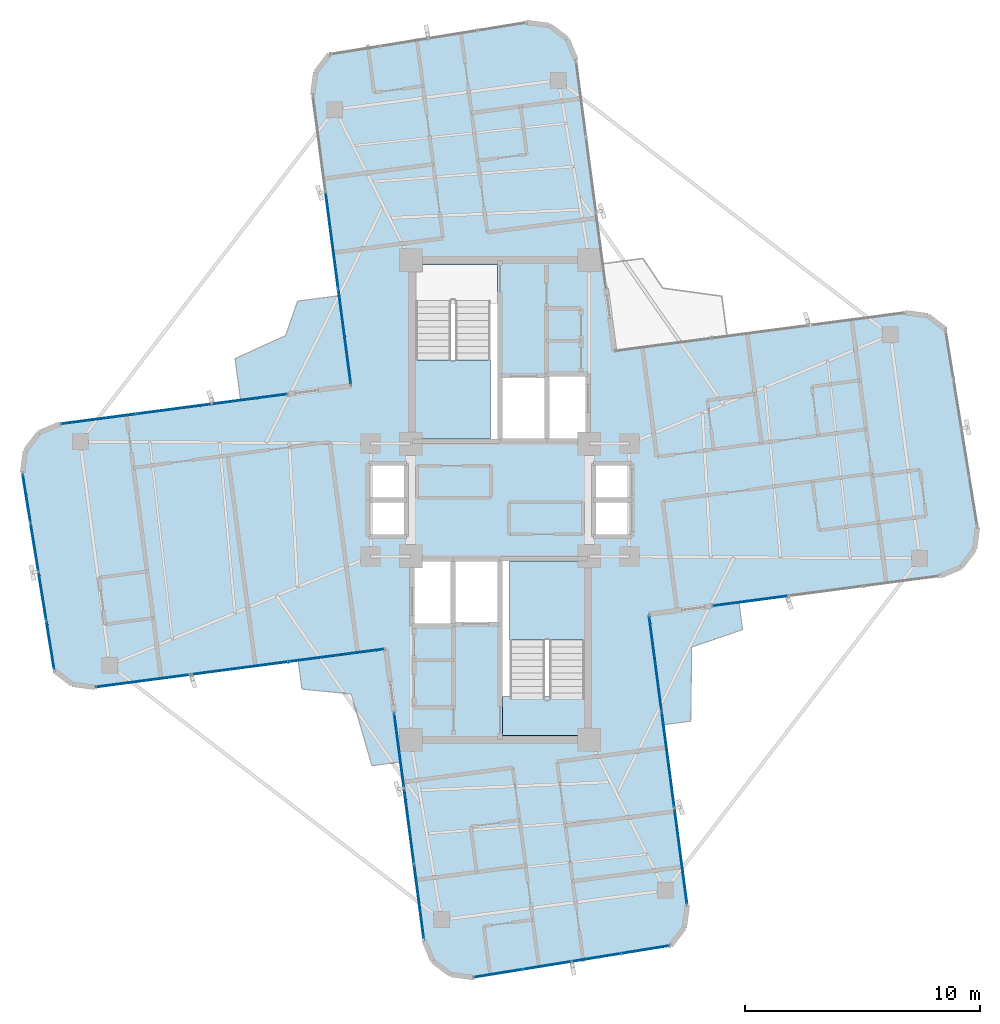
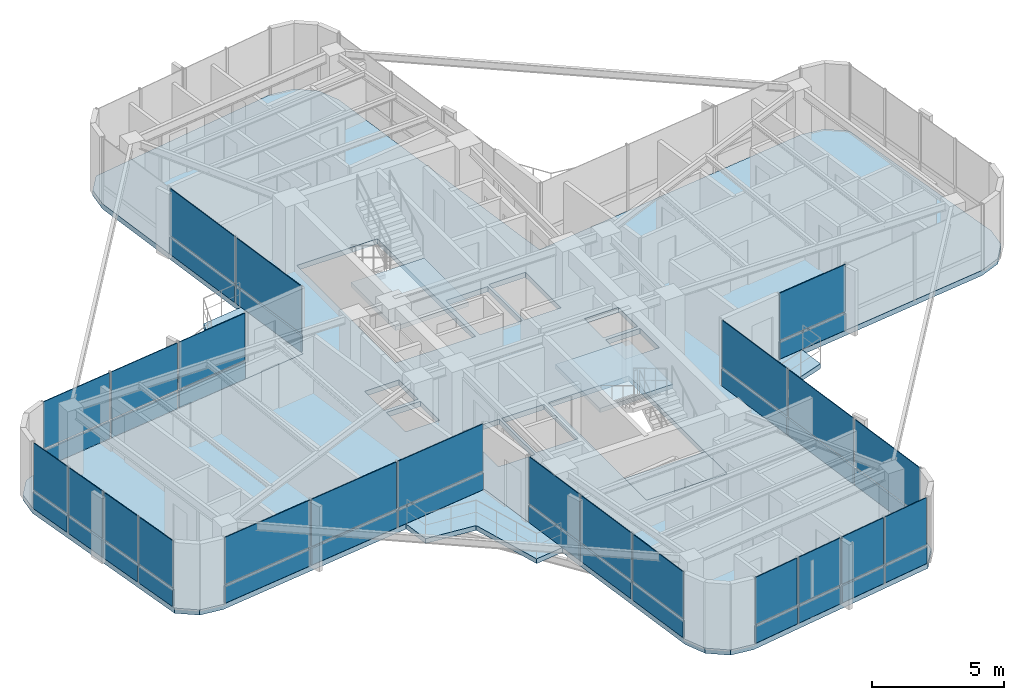
# One storey, part 16 of 22: 46 plates, 7 slabs, 10 elements without a shape of their own.
"""IFC4 building model written with IfcOpenShell, lengths in metres."""

from ifc_helpers import new_model, si_unit, direction, frame, origin, origin_2d, place, context, subcontext, project, spatial, polyline, rectangle, outline, extrude, source, transform, mapped, material, layer, layer_set, type_object, element, aggregate, save


model = new_model("IFC4")

# Units and contexts
model_context = context("Model", 3, precision=1e-05, world=origin(), true_north=direction((0.0, 1.0)))
body_context = subcontext(model_context, "Body", "Model", "MODEL_VIEW")
ifc_project = project(units=[si_unit("LENGTHUNIT", "METRE"), si_unit("AREAUNIT", "SQUARE_METRE"), si_unit("VOLUMEUNIT", "CUBIC_METRE"), si_unit("PLANEANGLEUNIT", "RADIAN"), si_unit("MASSUNIT", "GRAM", prefix="KILO")], contexts=[model_context])

# Site, building, storey
site_placement = place(None, origin())
site = spatial("IfcSite", under=ifc_project, at=site_placement, CompositionType="ELEMENT")
building_placement = place(site_placement, origin())
building = spatial("IfcBuilding", under=site, at=building_placement, Name="Sahyath Konkavel Grand Hotel", CompositionType="ELEMENT")
storey_placement = place(building_placement, frame((0.0, 0.0, 223.25)))
storey = spatial("IfcBuildingStorey", under=building, at=storey_placement, Name="L62", CompositionType="ELEMENT", Elevation=223.25)

# Slabs
ifc_material_1 = material(Name="Concrete C40/50", Category="concrete")
ifc_layer_1 = layer(ifc_material_1, 0.239990234375)
ifc_layer_set_1 = layer_set([ifc_layer_1], Name="Concrete C40/50")
slab_type_1 = type_object("IfcSlabType", Name="SLB-240", PredefinedType="FLOOR", material=ifc_layer_set_1)
slab_1_placement = place(storey_placement, frame((0.0, 0.0, -0.239990234375)))
element("IfcSlab", 1, at=slab_1_placement, inside=storey, type_object=slab_type_1, Name="L62 Structural Floor Slab", PredefinedType="FLOOR", context=body_context, shape_type="SweptSolid", body=[
    extrude(outline(polyline([(6.330078125, -4.857421875), (18.704345703125, -3.228271484375), (19.589111328125, -2.86181640625), (20.172119140625, -2.10205078125), (20.297119140625, -1.152587890625), (18.940673828125, 7.251220703125), (18.180908203125, 7.834228515625), (17.2314453125, 7.959228515625), (4.857421875, 6.330078125), (3.228271484375, 18.704345703125), (2.86181640625, 19.589111328125), (2.10205078125, 20.172119140625), (1.152587890625, 20.297119140625), (-7.251220703125, 18.940673828125), (-7.834228515625, 18.180908203125), (-7.959228515625, 17.2314453125), (-6.330078125, 4.857421875), (-18.704345703125, 3.228271484375), (-19.589111328125, 2.86181640625), (-20.172119140625, 2.10205078125), (-20.297119140625, 1.152587890625), (-18.940673828125, -7.251220703125), (-18.180908203125, -7.834228515625), (-17.2314453125, -7.959228515625), (-4.857421875, -6.330078125), (-3.228271484375, -18.704345703125), (-2.86181640625, -19.589111328125), (-2.10205078125, -20.172119140625), (-1.152587890625, -20.297119140625), (7.251220703125, -18.940673828125), (7.834228515625, -18.180908203125), (7.959228515625, -17.2314453125), (6.330078125, -4.857421875)]), holes=[polyline([(-3.6201171875, 2.580078125), (-0.10009765625, 2.580078125), (-0.10009765625, 10.02001953125), (-3.6201171875, 10.02001953125), (-3.6201171875, 2.580078125)]), polyline([(0.10009765625, -10.02001953125), (3.6201171875, -10.02001953125), (3.6201171875, -2.580078125), (0.10009765625, -2.580078125), (0.10009765625, -10.02001953125)]), polyline([(0.10009765625, 2.60009765625), (1.949951171875, 2.60009765625), (1.949951171875, 5.199951171875), (0.10009765625, 5.199951171875), (0.10009765625, 2.60009765625)]), polyline([(-1.949951171875, -5.199951171875), (-0.10009765625, -5.199951171875), (-0.10009765625, -2.60009765625), (-1.949951171875, -2.60009765625), (-1.949951171875, -5.199951171875)]), polyline([(2.050048828125, 2.60009765625), (3.64990234375, 2.60009765625), (3.64990234375, 5.300048828125), (2.050048828125, 5.300048828125), (2.050048828125, 2.60009765625)]), polyline([(-3.64990234375, -5.300048828125), (-2.050048828125, -5.300048828125), (-2.050048828125, -2.60009765625), (-3.64990234375, -2.60009765625), (-3.64990234375, -5.300048828125)]), polyline([(4.050048828125, 0.080078125), (5.550048828125, 0.080078125), (5.550048828125, 1.5400390625), (4.050048828125, 1.5400390625), (4.050048828125, 0.080078125)]), polyline([(4.050048828125, -1.5400390625), (5.550048828125, -1.5400390625), (5.550048828125, -0.080078125), (4.050048828125, -0.080078125), (4.050048828125, -1.5400390625)]), polyline([(-5.550048828125, 0.080078125), (-4.050048828125, 0.080078125), (-4.050048828125, 1.5400390625), (-5.550048828125, 1.5400390625), (-5.550048828125, 0.080078125)]), polyline([(-5.550048828125, -1.5400390625), (-4.050048828125, -1.5400390625), (-4.050048828125, -0.080078125), (-5.550048828125, -0.080078125), (-5.550048828125, -1.5400390625)])]), origin(), (0.0, 0.0, 1.0), 0.239990234375),
])
ifc_layer_2 = layer(ifc_material_1, 0.219970703125)
ifc_layer_set_2 = layer_set([ifc_layer_2], Name="Concrete C40/50")
slab_type_2 = type_object("IfcSlabType", Name="SLB-BALCONY-220", PredefinedType="FLOOR", material=ifc_layer_set_2)
slab_2_placement = place(storey_placement, frame((0.0, 0.0, -0.219970703125)))
element("IfcSlab", 2, at=slab_2_placement, inside=storey, type_object=slab_type_2, Name="L62 Winter-Garden Balcony NW", PredefinedType="FLOOR", context=body_context, shape_type="SweptSolid", body=[
    extrude(outline(polyline([(-6.330078125, 4.857421875), (-6.834228515625, 8.686279296875), (-8.60400390625, 8.453369140625), (-9.111572265625, 6.991455078125), (-11.260498046875, 6.008544921875), (-11.027587890625, 4.239013671875), (-6.330078125, 4.857421875)])), origin(), (0.0, 0.0, 1.0), 0.219970703125),
])
slab_3_placement = place(storey_placement, frame((0.0, 0.0, -0.219970703125)))
element("IfcSlab", 3, at=slab_3_placement, inside=storey, type_object=slab_type_2, Name="L62 Winter-Garden Balcony SW", PredefinedType="FLOOR", context=body_context, shape_type="SweptSolid", body=[
    extrude(outline(polyline([(-4.857421875, -6.330078125), (-8.5791015625, -6.8203125), (-8.4189453125, -8.0380859375), (-6.325927734375, -8.244140625), (-5.442626953125, -11.294921875), (-4.224853515625, -11.134765625), (-4.857421875, -6.330078125)])), origin(), (0.0, 0.0, 1.0), 0.219970703125),
])
slab_4_placement = place(storey_placement, frame((0.0, 0.0, -0.219970703125)))
element("IfcSlab", 4, at=slab_4_placement, inside=storey, type_object=slab_type_2, Name="L62 Winter-Garden Balcony SE", PredefinedType="FLOOR", context=body_context, shape_type="SweptSolid", body=[
    extrude(outline(polyline([(6.330078125, -4.857421875), (6.948486328125, -9.5546875), (8.105712890625, -9.40234375), (8.14892578125, -6.2529296875), (10.3115234375, -5.51025390625), (10.1591796875, -4.353271484375), (6.330078125, -4.857421875)])), origin(), (0.0, 0.0, 1.0), 0.219970703125),
])

# Stair, slab
stair_type = type_object("IfcStairType", Name="STR-ST16-335", PredefinedType="HALF_TURN_STAIR", material=ifc_material_1)
stair_1_placement = place(storey_placement, origin())
stair_1 = element("IfcStair", 5, at=stair_1_placement, inside=storey, type_object=stair_type, Name="L62 North Core Smokeproof Exit Stair ST-1", PredefinedType="HALF_TURN_STAIR")
ifc_layer_3 = layer(ifc_material_1, 0.199951171875)
ifc_layer_set_3 = layer_set([ifc_layer_3], Name="Concrete C40/50")
slab_type_3 = type_object("IfcSlabType", Name="SLB-STAIR-LND", PredefinedType="LANDING", material=ifc_layer_set_3)
slab_5_placement = place(storey_placement, frame((0.0, 0.0, 1.47509765625)))
slab_5 = element("IfcSlab", 6, at=slab_5_placement, type_object=slab_type_3, Name="ST-1 landing 1", PredefinedType="LANDING", context=body_context, shape_type="SweptSolid", body=[
    extrude(outline(polyline([(-3.60009765625, 5.9599609375), (-3.60009765625, 2.60009765625), (-0.39990234375, 2.60009765625), (-0.39990234375, 5.9599609375), (-3.60009765625, 5.9599609375)])), origin(), (0.0, 0.0, 1.0), 0.199951171875),
])
aggregate(stair_1, [slab_5])

stair_2_placement = place(storey_placement, origin())
stair_2 = element("IfcStair", 7, at=stair_2_placement, inside=storey, type_object=stair_type, Name="L62 South Core Smokeproof Exit Stair ST-2", PredefinedType="HALF_TURN_STAIR")
slab_6_placement = place(storey_placement, frame((0.0, 0.0, 1.47509765625)))
slab_6 = element("IfcSlab", 8, at=slab_6_placement, type_object=slab_type_3, Name="ST-2 landing 1", PredefinedType="LANDING", context=body_context, shape_type="SweptSolid", body=[
    extrude(outline(polyline([(3.60009765625, -5.9599609375), (3.60009765625, -2.60009765625), (0.39990234375, -2.60009765625), (0.39990234375, -5.9599609375), (3.60009765625, -5.9599609375)])), origin(), (0.0, 0.0, 1.0), 0.199951171875),
])
aggregate(stair_2, [slab_6])

# Slab
slab_7_placement = place(storey_placement, frame((0.0, 0.0, -0.199951171875)))
element("IfcSlab", 9, at=slab_7_placement, inside=storey, type_object=slab_type_3, Name="L62 Stair ST-2 Floor Landing Slab", PredefinedType="LANDING", context=body_context, shape_type="SweptSolid", body=[
    extrude(outline(polyline([(0.10009765625, -10.02001953125), (3.6201171875, -10.02001953125), (3.6201171875, -8.35009765625), (0.10009765625, -8.35009765625), (0.10009765625, -10.02001953125)])), origin(), (0.0, 0.0, 1.0), 0.199951171875),
])

# Curtain wall, plate
ifc_material_2 = material(Name="Anodised Bronze Aluminium & Low-E Glazing", Category="aluminium")
curtain_wall_type = type_object("IfcCurtainWallType", Name="CW-ZONE4", PredefinedType="NOTDEFINED", material=ifc_material_2)
curtain_wall_1_placement = place(storey_placement, origin())
curtain_wall_1 = element("IfcCurtainWall", 10, at=curtain_wall_1_placement, inside=storey, type_object=curtain_wall_type, Name="L62 Unitised Curtain Wall F0", PredefinedType="NOTDEFINED")
ifc_material_3 = material(Name="Warm Buff Sandstone Cladding", Category="masonry")
ifc_layer_4 = layer(ifc_material_3, 0.074951171875)
ifc_layer_set_4 = layer_set([ifc_layer_4], Name="Warm Buff Sandstone Cladding")
plate_type_1 = type_object("IfcPlateType", Name="PNL-SPANDREL-STONE", PredefinedType="SHEET", material=ifc_layer_set_4)
shared_shape_1 = source(origin(), body_context, "Body", "SweptSolid", [
    extrude(rectangle(XDim=3.15380859375, YDim=0.074951171875, at=origin_2d()), origin(), (0.0, 0.0, 1.0), 0.77001953125),
])
plate_1_placement = place(storey_placement, frame((10.64990234375, -4.288818359375, 0.0400390625), z_axis=(0.0, 0.0, 1.0), x_axis=(0.991444861374, 0.13052619222, 0.0)))
plate_1 = element("IfcPlate", 11, at=plate_1_placement, type_object=plate_type_1, Name="L62 Sandstone Relief Spandrel Panel F0-0", PredefinedType="SHEET", context=body_context, shape_type="MappedRepresentation", body=[
    mapped(shared_shape_1, transform((0.0, 0.0, 0.0), scale=1.0)),
])

# Curtain wall, plates
curtain_wall_2_placement = place(storey_placement, origin())
curtain_wall_2 = element("IfcCurtainWall", 12, at=curtain_wall_2_placement, inside=storey, type_object=curtain_wall_type, Name="L62 Unitised Curtain Wall F16", PredefinedType="NOTDEFINED")
plate_2_placement = place(storey_placement, frame((-10.64990234375, 4.288818359375, 0.0400390625), z_axis=(0.0, 0.0, 1.0), x_axis=(-0.991444861374, -0.13052619222, 0.0)))
plate_2 = element("IfcPlate", 13, at=plate_2_placement, type_object=plate_type_1, Name="L62 Sandstone Relief Spandrel Panel F16-0", PredefinedType="SHEET", context=body_context, shape_type="MappedRepresentation", body=[
    mapped(shared_shape_1, transform((0.0, 0.0, 0.0), scale=1.0)),
])
plate_3_placement = place(storey_placement, frame((-13.855712890625, 3.86669921875, 0.0400390625), z_axis=(0.0, 0.0, 1.0), x_axis=(-0.991444861374, -0.13052619222, 0.0)))
plate_3 = element("IfcPlate", 14, at=plate_3_placement, type_object=plate_type_1, Name="L62 Sandstone Relief Spandrel Panel F16-1", PredefinedType="SHEET", context=body_context, shape_type="MappedRepresentation", body=[
    mapped(shared_shape_1, transform((0.0, 0.0, 0.0), scale=1.0)),
])
plate_4_placement = place(storey_placement, frame((-17.061767578125, 3.4443359375, 0.0400390625), z_axis=(0.0, 0.0, 1.0), x_axis=(-0.991444861374, -0.13052619222, 0.0)))
plate_4 = element("IfcPlate", 15, at=plate_4_placement, type_object=plate_type_1, Name="L62 Sandstone Relief Spandrel Panel F16-2", PredefinedType="SHEET", context=body_context, shape_type="MappedRepresentation", body=[
    mapped(shared_shape_1, transform((0.0, 0.0, 0.0), scale=1.0)),
])

curtain_wall_3_placement = place(storey_placement, origin())
curtain_wall_3 = element("IfcCurtainWall", 16, at=curtain_wall_3_placement, inside=storey, type_object=curtain_wall_type, Name="L62 Unitised Curtain Wall F24", PredefinedType="NOTDEFINED")
plate_5_placement = place(storey_placement, frame((-4.288818359375, -10.64990234375, 0.0400390625), z_axis=(0.0, 0.0, 1.0), x_axis=(0.13052619222, -0.991444861374, 0.0)))
plate_5 = element("IfcPlate", 17, at=plate_5_placement, type_object=plate_type_1, Name="L62 Sandstone Relief Spandrel Panel F24-0", PredefinedType="SHEET", context=body_context, shape_type="MappedRepresentation", body=[
    mapped(shared_shape_1, transform((0.0, 0.0, 0.0), scale=1.0)),
])
plate_6_placement = place(storey_placement, frame((-3.86669921875, -13.855712890625, 0.0400390625), z_axis=(0.0, 0.0, 1.0), x_axis=(0.13052619222, -0.991444861374, 0.0)))
plate_6 = element("IfcPlate", 18, at=plate_6_placement, type_object=plate_type_1, Name="L62 Sandstone Relief Spandrel Panel F24-1", PredefinedType="SHEET", context=body_context, shape_type="MappedRepresentation", body=[
    mapped(shared_shape_1, transform((0.0, 0.0, 0.0), scale=1.0)),
])
plate_7_placement = place(storey_placement, frame((-3.4443359375, -17.061767578125, 0.0400390625), z_axis=(0.0, 0.0, 1.0), x_axis=(0.13052619222, -0.991444861374, 0.0)))
plate_7 = element("IfcPlate", 19, at=plate_7_placement, type_object=plate_type_1, Name="L62 Sandstone Relief Spandrel Panel F24-2", PredefinedType="SHEET", context=body_context, shape_type="MappedRepresentation", body=[
    mapped(shared_shape_1, transform((0.0, 0.0, 0.0), scale=1.0)),
])

# Plate
ifc_material_4 = material(Name="Low-E Solar Control Double Glazing", Category="glass")
ifc_layer_5 = layer(ifc_material_4, 0.035888671875)
ifc_layer_set_5 = layer_set([ifc_layer_5], Name="Low-E Solar Control Double Glazing")
plate_type_2 = type_object("IfcPlateType", Name="PNL-VISION-LOWE", PredefinedType="CURTAIN_PANEL", material=ifc_layer_set_5)
shared_shape_2 = source(origin(), body_context, "Body", "SweptSolid", [
    extrude(rectangle(XDim=3.15380859375, YDim=0.035888671875, at=origin_2d()), origin(), (0.0, 0.0, 1.0), 2.179931640625),
])
plate_8_placement = place(storey_placement, frame((10.64990234375, -4.288818359375, 0.89013671875), z_axis=(0.0, 0.0, 1.0), x_axis=(0.991444861374, 0.13052619222, 0.0)))
plate_8 = element("IfcPlate", 20, at=plate_8_placement, type_object=plate_type_2, Name="L62 Low-E Vision Glazing Panel F0-0", PredefinedType="CURTAIN_PANEL", context=body_context, shape_type="MappedRepresentation", body=[
    mapped(shared_shape_2, transform((0.0, 0.0, 0.0), scale=1.0)),
])

aggregate(curtain_wall_1, [plate_1, plate_8])

plate_9_placement = place(storey_placement, frame((-10.64990234375, 4.288818359375, 0.89013671875), z_axis=(0.0, 0.0, 1.0), x_axis=(-0.991444861374, -0.13052619222, 0.0)))
plate_9 = element("IfcPlate", 21, at=plate_9_placement, type_object=plate_type_2, Name="L62 Low-E Vision Glazing Panel F16-0", PredefinedType="CURTAIN_PANEL", context=body_context, shape_type="MappedRepresentation", body=[
    mapped(shared_shape_2, transform((0.0, 0.0, 0.0), scale=1.0)),
])

plate_10_placement = place(storey_placement, frame((-13.855712890625, 3.86669921875, 0.89013671875), z_axis=(0.0, 0.0, 1.0), x_axis=(-0.991444861374, -0.13052619222, 0.0)))
plate_10 = element("IfcPlate", 22, at=plate_10_placement, type_object=plate_type_2, Name="L62 Low-E Vision Glazing Panel F16-1", PredefinedType="CURTAIN_PANEL", context=body_context, shape_type="MappedRepresentation", body=[
    mapped(shared_shape_2, transform((0.0, 0.0, 0.0), scale=1.0)),
])

plate_11_placement = place(storey_placement, frame((-17.061767578125, 3.4443359375, 0.89013671875), z_axis=(0.0, 0.0, 1.0), x_axis=(-0.991444861374, -0.13052619222, 0.0)))
plate_11 = element("IfcPlate", 23, at=plate_11_placement, type_object=plate_type_2, Name="L62 Low-E Vision Glazing Panel F16-2", PredefinedType="CURTAIN_PANEL", context=body_context, shape_type="MappedRepresentation", body=[
    mapped(shared_shape_2, transform((0.0, 0.0, 0.0), scale=1.0)),
])

aggregate(curtain_wall_2, [plate_2, plate_9, plate_3, plate_10, plate_4, plate_11])

plate_12_placement = place(storey_placement, frame((-4.288818359375, -10.64990234375, 0.89013671875), z_axis=(0.0, 0.0, 1.0), x_axis=(0.13052619222, -0.991444861374, 0.0)))
plate_12 = element("IfcPlate", 24, at=plate_12_placement, type_object=plate_type_2, Name="L62 Low-E Vision Glazing Panel F24-0", PredefinedType="CURTAIN_PANEL", context=body_context, shape_type="MappedRepresentation", body=[
    mapped(shared_shape_2, transform((0.0, 0.0, 0.0), scale=1.0)),
])

plate_13_placement = place(storey_placement, frame((-3.86669921875, -13.855712890625, 0.89013671875), z_axis=(0.0, 0.0, 1.0), x_axis=(0.13052619222, -0.991444861374, 0.0)))
plate_13 = element("IfcPlate", 25, at=plate_13_placement, type_object=plate_type_2, Name="L62 Low-E Vision Glazing Panel F24-1", PredefinedType="CURTAIN_PANEL", context=body_context, shape_type="MappedRepresentation", body=[
    mapped(shared_shape_2, transform((0.0, 0.0, 0.0), scale=1.0)),
])

plate_14_placement = place(storey_placement, frame((-3.4443359375, -17.061767578125, 0.89013671875), z_axis=(0.0, 0.0, 1.0), x_axis=(0.13052619222, -0.991444861374, 0.0)))
plate_14 = element("IfcPlate", 26, at=plate_14_placement, type_object=plate_type_2, Name="L62 Low-E Vision Glazing Panel F24-2", PredefinedType="CURTAIN_PANEL", context=body_context, shape_type="MappedRepresentation", body=[
    mapped(shared_shape_2, transform((0.0, 0.0, 0.0), scale=1.0)),
])

aggregate(curtain_wall_3, [plate_5, plate_12, plate_6, plate_13, plate_7, plate_14])

# Curtain wall, plates
curtain_wall_4_placement = place(storey_placement, origin())
curtain_wall_4 = element("IfcCurtainWall", 27, at=curtain_wall_4_placement, inside=storey, type_object=curtain_wall_type, Name="L62 Unitised Curtain Wall F20", PredefinedType="NOTDEFINED")
shared_shape_3 = source(origin(), body_context, "Body", "SweptSolid", [
    extrude(rectangle(XDim=2.0283203125, YDim=0.074951171875, at=origin_2d()), origin(), (0.0, 0.0, 1.0), 0.77001953125),
])
plate_15_placement = place(storey_placement, frame((-20.122802734375, 0.072509765625, 0.0400390625), z_axis=(0.0, 0.0, 1.0), x_axis=(0.159347072199, -0.98722262463, 0.0)))
plate_15 = element("IfcPlate", 28, at=plate_15_placement, type_object=plate_type_1, Name="L62 Sandstone Relief Spandrel Panel F20-0", PredefinedType="SHEET", context=body_context, shape_type="MappedRepresentation", body=[
    mapped(shared_shape_3, transform((0.0, 0.0, 0.0), scale=1.0)),
])
plate_16_placement = place(storey_placement, frame((-19.786865234375, -2.0087890625, 0.0400390625), z_axis=(0.0, 0.0, 1.0), x_axis=(0.159347072199, -0.98722262463, 0.0)))
plate_16 = element("IfcPlate", 29, at=plate_16_placement, type_object=plate_type_1, Name="L62 Sandstone Relief Spandrel Panel F20-1", PredefinedType="SHEET", context=body_context, shape_type="MappedRepresentation", body=[
    mapped(shared_shape_3, transform((0.0, 0.0, 0.0), scale=1.0)),
])
plate_17_placement = place(storey_placement, frame((-19.450927734375, -4.090087890625, 0.0400390625), z_axis=(0.0, 0.0, 1.0), x_axis=(0.159347072199, -0.98722262463, 0.0)))
plate_17 = element("IfcPlate", 30, at=plate_17_placement, type_object=plate_type_1, Name="L62 Sandstone Relief Spandrel Panel F20-2", PredefinedType="SHEET", context=body_context, shape_type="MappedRepresentation", body=[
    mapped(shared_shape_3, transform((0.0, 0.0, 0.0), scale=1.0)),
])
plate_18_placement = place(storey_placement, frame((-19.114990234375, -6.171142578125, 0.0400390625), z_axis=(0.0, 0.0, 1.0), x_axis=(0.159347072199, -0.98722262463, 0.0)))
plate_18 = element("IfcPlate", 31, at=plate_18_placement, type_object=plate_type_1, Name="L62 Sandstone Relief Spandrel Panel F20-3", PredefinedType="SHEET", context=body_context, shape_type="MappedRepresentation", body=[
    mapped(shared_shape_3, transform((0.0, 0.0, 0.0), scale=1.0)),
])

curtain_wall_5_placement = place(storey_placement, origin())
curtain_wall_5 = element("IfcCurtainWall", 32, at=curtain_wall_5_placement, inside=storey, type_object=curtain_wall_type, Name="L62 Unitised Curtain Wall F28", PredefinedType="NOTDEFINED")
plate_19_placement = place(storey_placement, frame((-0.072509765625, -20.122802734375, 0.0400390625), z_axis=(0.0, 0.0, 1.0), x_axis=(0.98722262463, 0.159347072199, 0.0)))
plate_19 = element("IfcPlate", 33, at=plate_19_placement, type_object=plate_type_1, Name="L62 Sandstone Relief Spandrel Panel F28-0", PredefinedType="SHEET", context=body_context, shape_type="MappedRepresentation", body=[
    mapped(shared_shape_3, transform((0.0, 0.0, 0.0), scale=1.0)),
])
plate_20_placement = place(storey_placement, frame((2.0087890625, -19.786865234375, 0.0400390625), z_axis=(0.0, 0.0, 1.0), x_axis=(0.98722262463, 0.159347072199, 0.0)))
plate_20 = element("IfcPlate", 34, at=plate_20_placement, type_object=plate_type_1, Name="L62 Sandstone Relief Spandrel Panel F28-1", PredefinedType="SHEET", context=body_context, shape_type="MappedRepresentation", body=[
    mapped(shared_shape_3, transform((0.0, 0.0, 0.0), scale=1.0)),
])
plate_21_placement = place(storey_placement, frame((4.090087890625, -19.450927734375, 0.0400390625), z_axis=(0.0, 0.0, 1.0), x_axis=(0.98722262463, 0.159347072199, 0.0)))
plate_21 = element("IfcPlate", 35, at=plate_21_placement, type_object=plate_type_1, Name="L62 Sandstone Relief Spandrel Panel F28-2", PredefinedType="SHEET", context=body_context, shape_type="MappedRepresentation", body=[
    mapped(shared_shape_3, transform((0.0, 0.0, 0.0), scale=1.0)),
])
plate_22_placement = place(storey_placement, frame((6.171142578125, -19.114990234375, 0.0400390625), z_axis=(0.0, 0.0, 1.0), x_axis=(0.98722262463, 0.159347072199, 0.0)))
plate_22 = element("IfcPlate", 36, at=plate_22_placement, type_object=plate_type_1, Name="L62 Sandstone Relief Spandrel Panel F28-3", PredefinedType="SHEET", context=body_context, shape_type="MappedRepresentation", body=[
    mapped(shared_shape_3, transform((0.0, 0.0, 0.0), scale=1.0)),
])

# Plate
shared_shape_4 = source(origin(), body_context, "Body", "SweptSolid", [
    extrude(rectangle(XDim=2.0283203125, YDim=0.035888671875, at=origin_2d()), origin(), (0.0, 0.0, 1.0), 2.179931640625),
])
plate_23_placement = place(storey_placement, frame((-20.122802734375, 0.072509765625, 0.89013671875), z_axis=(0.0, 0.0, 1.0), x_axis=(0.159347072199, -0.98722262463, 0.0)))
plate_23 = element("IfcPlate", 37, at=plate_23_placement, type_object=plate_type_2, Name="L62 Low-E Vision Glazing Panel F20-0", PredefinedType="CURTAIN_PANEL", context=body_context, shape_type="MappedRepresentation", body=[
    mapped(shared_shape_4, transform((0.0, 0.0, 0.0), scale=1.0)),
])

plate_24_placement = place(storey_placement, frame((-19.786865234375, -2.0087890625, 0.89013671875), z_axis=(0.0, 0.0, 1.0), x_axis=(0.159347072199, -0.98722262463, 0.0)))
plate_24 = element("IfcPlate", 38, at=plate_24_placement, type_object=plate_type_2, Name="L62 Low-E Vision Glazing Panel F20-1", PredefinedType="CURTAIN_PANEL", context=body_context, shape_type="MappedRepresentation", body=[
    mapped(shared_shape_4, transform((0.0, 0.0, 0.0), scale=1.0)),
])

plate_25_placement = place(storey_placement, frame((-19.450927734375, -4.090087890625, 0.89013671875), z_axis=(0.0, 0.0, 1.0), x_axis=(0.159347072199, -0.98722262463, 0.0)))
plate_25 = element("IfcPlate", 39, at=plate_25_placement, type_object=plate_type_2, Name="L62 Low-E Vision Glazing Panel F20-2", PredefinedType="CURTAIN_PANEL", context=body_context, shape_type="MappedRepresentation", body=[
    mapped(shared_shape_4, transform((0.0, 0.0, 0.0), scale=1.0)),
])

plate_26_placement = place(storey_placement, frame((-19.114990234375, -6.171142578125, 0.89013671875), z_axis=(0.0, 0.0, 1.0), x_axis=(0.159347072199, -0.98722262463, 0.0)))
plate_26 = element("IfcPlate", 40, at=plate_26_placement, type_object=plate_type_2, Name="L62 Low-E Vision Glazing Panel F20-3", PredefinedType="CURTAIN_PANEL", context=body_context, shape_type="MappedRepresentation", body=[
    mapped(shared_shape_4, transform((0.0, 0.0, 0.0), scale=1.0)),
])

aggregate(curtain_wall_4, [plate_15, plate_23, plate_16, plate_24, plate_17, plate_25, plate_18, plate_26])

plate_27_placement = place(storey_placement, frame((-0.072509765625, -20.122802734375, 0.89013671875), z_axis=(0.0, 0.0, 1.0), x_axis=(0.98722262463, 0.159347072199, 0.0)))
plate_27 = element("IfcPlate", 41, at=plate_27_placement, type_object=plate_type_2, Name="L62 Low-E Vision Glazing Panel F28-0", PredefinedType="CURTAIN_PANEL", context=body_context, shape_type="MappedRepresentation", body=[
    mapped(shared_shape_4, transform((0.0, 0.0, 0.0), scale=1.0)),
])

plate_28_placement = place(storey_placement, frame((2.0087890625, -19.786865234375, 0.89013671875), z_axis=(0.0, 0.0, 1.0), x_axis=(0.98722262463, 0.159347072199, 0.0)))
plate_28 = element("IfcPlate", 42, at=plate_28_placement, type_object=plate_type_2, Name="L62 Low-E Vision Glazing Panel F28-1", PredefinedType="CURTAIN_PANEL", context=body_context, shape_type="MappedRepresentation", body=[
    mapped(shared_shape_4, transform((0.0, 0.0, 0.0), scale=1.0)),
])

plate_29_placement = place(storey_placement, frame((4.090087890625, -19.450927734375, 0.89013671875), z_axis=(0.0, 0.0, 1.0), x_axis=(0.98722262463, 0.159347072199, 0.0)))
plate_29 = element("IfcPlate", 43, at=plate_29_placement, type_object=plate_type_2, Name="L62 Low-E Vision Glazing Panel F28-2", PredefinedType="CURTAIN_PANEL", context=body_context, shape_type="MappedRepresentation", body=[
    mapped(shared_shape_4, transform((0.0, 0.0, 0.0), scale=1.0)),
])

plate_30_placement = place(storey_placement, frame((6.171142578125, -19.114990234375, 0.89013671875), z_axis=(0.0, 0.0, 1.0), x_axis=(0.98722262463, 0.159347072199, 0.0)))
plate_30 = element("IfcPlate", 44, at=plate_30_placement, type_object=plate_type_2, Name="L62 Low-E Vision Glazing Panel F28-3", PredefinedType="CURTAIN_PANEL", context=body_context, shape_type="MappedRepresentation", body=[
    mapped(shared_shape_4, transform((0.0, 0.0, 0.0), scale=1.0)),
])

aggregate(curtain_wall_5, [plate_19, plate_27, plate_20, plate_28, plate_21, plate_29, plate_22, plate_30])

# Curtain wall, plates
curtain_wall_6_placement = place(storey_placement, origin())
curtain_wall_6 = element("IfcCurtainWall", 45, at=curtain_wall_6_placement, inside=storey, type_object=curtain_wall_type, Name="L62 Unitised Curtain Wall F15", PredefinedType="NOTDEFINED")
shared_shape_5 = source(origin(), body_context, "Body", "SweptSolid", [
    extrude(rectangle(XDim=4.0537109375, YDim=0.074951171875, at=origin_2d()), origin(), (0.0, 0.0, 1.0), 0.77001953125),
])
plate_31_placement = place(storey_placement, frame((-7.144775390625, 11.04443359375, 0.0400390625), z_axis=(0.0, 0.0, 1.0), x_axis=(0.13052619222, -0.991444861374, 0.0)))
plate_31 = element("IfcPlate", 46, at=plate_31_placement, type_object=plate_type_1, Name="L62 Sandstone Relief Spandrel Panel F15-1", PredefinedType="SHEET", context=body_context, shape_type="MappedRepresentation", body=[
    mapped(shared_shape_5, transform((0.0, 0.0, 0.0), scale=1.0)),
])
plate_32_placement = place(storey_placement, frame((-6.605224609375, 6.9462890625, 0.0400390625), z_axis=(0.0, 0.0, 1.0), x_axis=(0.13052619222, -0.991444861374, 0.0)))
plate_32 = element("IfcPlate", 47, at=plate_32_placement, type_object=plate_type_1, Name="L62 Sandstone Relief Spandrel Panel F15-2", PredefinedType="SHEET", context=body_context, shape_type="MappedRepresentation", body=[
    mapped(shared_shape_5, transform((0.0, 0.0, 0.0), scale=1.0)),
])

curtain_wall_7_placement = place(storey_placement, origin())
curtain_wall_7 = element("IfcCurtainWall", 48, at=curtain_wall_7_placement, inside=storey, type_object=curtain_wall_type, Name="L62 Unitised Curtain Wall F23", PredefinedType="NOTDEFINED")
plate_33_placement = place(storey_placement, frame((-15.142578125, -7.684326171875, 0.0400390625), z_axis=(0.0, 0.0, 1.0), x_axis=(0.991444861374, 0.13052619222, 0.0)))
plate_33 = element("IfcPlate", 49, at=plate_33_placement, type_object=plate_type_1, Name="L62 Sandstone Relief Spandrel Panel F23-0", PredefinedType="SHEET", context=body_context, shape_type="MappedRepresentation", body=[
    mapped(shared_shape_5, transform((0.0, 0.0, 0.0), scale=1.0)),
])
plate_34_placement = place(storey_placement, frame((-11.04443359375, -7.144775390625, 0.0400390625), z_axis=(0.0, 0.0, 1.0), x_axis=(0.991444861374, 0.13052619222, 0.0)))
plate_34 = element("IfcPlate", 50, at=plate_34_placement, type_object=plate_type_1, Name="L62 Sandstone Relief Spandrel Panel F23-1", PredefinedType="SHEET", context=body_context, shape_type="MappedRepresentation", body=[
    mapped(shared_shape_5, transform((0.0, 0.0, 0.0), scale=1.0)),
])
plate_35_placement = place(storey_placement, frame((-6.9462890625, -6.605224609375, 0.0400390625), z_axis=(0.0, 0.0, 1.0), x_axis=(0.991444861374, 0.13052619222, 0.0)))
plate_35 = element("IfcPlate", 51, at=plate_35_placement, type_object=plate_type_1, Name="L62 Sandstone Relief Spandrel Panel F23-2", PredefinedType="SHEET", context=body_context, shape_type="MappedRepresentation", body=[
    mapped(shared_shape_5, transform((0.0, 0.0, 0.0), scale=1.0)),
])

curtain_wall_8_placement = place(storey_placement, origin())
curtain_wall_8 = element("IfcCurtainWall", 52, at=curtain_wall_8_placement, inside=storey, type_object=curtain_wall_type, Name="L62 Unitised Curtain Wall F31", PredefinedType="NOTDEFINED")
plate_36_placement = place(storey_placement, frame((7.684326171875, -15.142578125, 0.0400390625), z_axis=(0.0, 0.0, 1.0), x_axis=(-0.13052619222, 0.991444861374, 0.0)))
plate_36 = element("IfcPlate", 53, at=plate_36_placement, type_object=plate_type_1, Name="L62 Sandstone Relief Spandrel Panel F31-0", PredefinedType="SHEET", context=body_context, shape_type="MappedRepresentation", body=[
    mapped(shared_shape_5, transform((0.0, 0.0, 0.0), scale=1.0)),
])
plate_37_placement = place(storey_placement, frame((7.144775390625, -11.04443359375, 0.0400390625), z_axis=(0.0, 0.0, 1.0), x_axis=(-0.13052619222, 0.991444861374, 0.0)))
plate_37 = element("IfcPlate", 54, at=plate_37_placement, type_object=plate_type_1, Name="L62 Sandstone Relief Spandrel Panel F31-1", PredefinedType="SHEET", context=body_context, shape_type="MappedRepresentation", body=[
    mapped(shared_shape_5, transform((0.0, 0.0, 0.0), scale=1.0)),
])
plate_38_placement = place(storey_placement, frame((6.605224609375, -6.9462890625, 0.0400390625), z_axis=(0.0, 0.0, 1.0), x_axis=(-0.13052619222, 0.991444861374, 0.0)))
plate_38 = element("IfcPlate", 55, at=plate_38_placement, type_object=plate_type_1, Name="L62 Sandstone Relief Spandrel Panel F31-2", PredefinedType="SHEET", context=body_context, shape_type="MappedRepresentation", body=[
    mapped(shared_shape_5, transform((0.0, 0.0, 0.0), scale=1.0)),
])

# Plate
shared_shape_6 = source(origin(), body_context, "Body", "SweptSolid", [
    extrude(rectangle(XDim=4.0537109375, YDim=0.035888671875, at=origin_2d()), origin(), (0.0, 0.0, 1.0), 2.179931640625),
])
plate_39_placement = place(storey_placement, frame((-7.144775390625, 11.04443359375, 0.89013671875), z_axis=(0.0, 0.0, 1.0), x_axis=(0.13052619222, -0.991444861374, 0.0)))
plate_39 = element("IfcPlate", 56, at=plate_39_placement, type_object=plate_type_2, Name="L62 Low-E Vision Glazing Panel F15-1", PredefinedType="CURTAIN_PANEL", context=body_context, shape_type="MappedRepresentation", body=[
    mapped(shared_shape_6, transform((0.0, 0.0, 0.0), scale=1.0)),
])

plate_40_placement = place(storey_placement, frame((-6.605224609375, 6.9462890625, 0.89013671875), z_axis=(0.0, 0.0, 1.0), x_axis=(0.13052619222, -0.991444861374, 0.0)))
plate_40 = element("IfcPlate", 57, at=plate_40_placement, type_object=plate_type_2, Name="L62 Low-E Vision Glazing Panel F15-2", PredefinedType="CURTAIN_PANEL", context=body_context, shape_type="MappedRepresentation", body=[
    mapped(shared_shape_6, transform((0.0, 0.0, 0.0), scale=1.0)),
])

aggregate(curtain_wall_6, [plate_31, plate_39, plate_32, plate_40])

plate_41_placement = place(storey_placement, frame((-15.142578125, -7.684326171875, 0.89013671875), z_axis=(0.0, 0.0, 1.0), x_axis=(0.991444861374, 0.13052619222, 0.0)))
plate_41 = element("IfcPlate", 58, at=plate_41_placement, type_object=plate_type_2, Name="L62 Low-E Vision Glazing Panel F23-0", PredefinedType="CURTAIN_PANEL", context=body_context, shape_type="MappedRepresentation", body=[
    mapped(shared_shape_6, transform((0.0, 0.0, 0.0), scale=1.0)),
])

plate_42_placement = place(storey_placement, frame((-11.04443359375, -7.144775390625, 0.89013671875), z_axis=(0.0, 0.0, 1.0), x_axis=(0.991444861374, 0.13052619222, 0.0)))
plate_42 = element("IfcPlate", 59, at=plate_42_placement, type_object=plate_type_2, Name="L62 Low-E Vision Glazing Panel F23-1", PredefinedType="CURTAIN_PANEL", context=body_context, shape_type="MappedRepresentation", body=[
    mapped(shared_shape_6, transform((0.0, 0.0, 0.0), scale=1.0)),
])

plate_43_placement = place(storey_placement, frame((-6.9462890625, -6.605224609375, 0.89013671875), z_axis=(0.0, 0.0, 1.0), x_axis=(0.991444861374, 0.13052619222, 0.0)))
plate_43 = element("IfcPlate", 60, at=plate_43_placement, type_object=plate_type_2, Name="L62 Low-E Vision Glazing Panel F23-2", PredefinedType="CURTAIN_PANEL", context=body_context, shape_type="MappedRepresentation", body=[
    mapped(shared_shape_6, transform((0.0, 0.0, 0.0), scale=1.0)),
])

aggregate(curtain_wall_7, [plate_33, plate_41, plate_34, plate_42, plate_35, plate_43])

plate_44_placement = place(storey_placement, frame((7.684326171875, -15.142578125, 0.89013671875), z_axis=(0.0, 0.0, 1.0), x_axis=(-0.13052619222, 0.991444861374, 0.0)))
plate_44 = element("IfcPlate", 61, at=plate_44_placement, type_object=plate_type_2, Name="L62 Low-E Vision Glazing Panel F31-0", PredefinedType="CURTAIN_PANEL", context=body_context, shape_type="MappedRepresentation", body=[
    mapped(shared_shape_6, transform((0.0, 0.0, 0.0), scale=1.0)),
])

plate_45_placement = place(storey_placement, frame((7.144775390625, -11.04443359375, 0.89013671875), z_axis=(0.0, 0.0, 1.0), x_axis=(-0.13052619222, 0.991444861374, 0.0)))
plate_45 = element("IfcPlate", 62, at=plate_45_placement, type_object=plate_type_2, Name="L62 Low-E Vision Glazing Panel F31-1", PredefinedType="CURTAIN_PANEL", context=body_context, shape_type="MappedRepresentation", body=[
    mapped(shared_shape_6, transform((0.0, 0.0, 0.0), scale=1.0)),
])

plate_46_placement = place(storey_placement, frame((6.605224609375, -6.9462890625, 0.89013671875), z_axis=(0.0, 0.0, 1.0), x_axis=(-0.13052619222, 0.991444861374, 0.0)))
plate_46 = element("IfcPlate", 63, at=plate_46_placement, type_object=plate_type_2, Name="L62 Low-E Vision Glazing Panel F31-2", PredefinedType="CURTAIN_PANEL", context=body_context, shape_type="MappedRepresentation", body=[
    mapped(shared_shape_6, transform((0.0, 0.0, 0.0), scale=1.0)),
])

aggregate(curtain_wall_8, [plate_36, plate_44, plate_37, plate_45, plate_38, plate_46])

save(model, "model.ifc")
